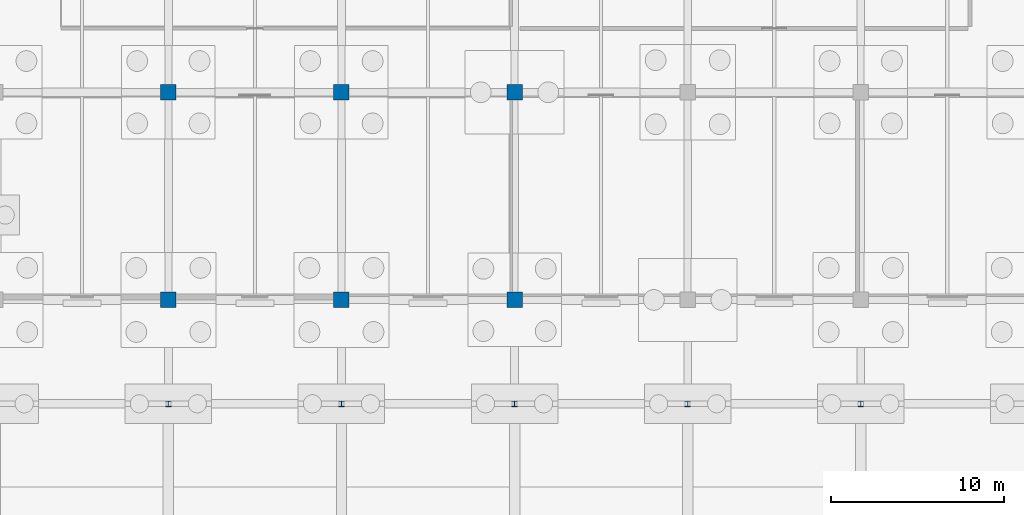
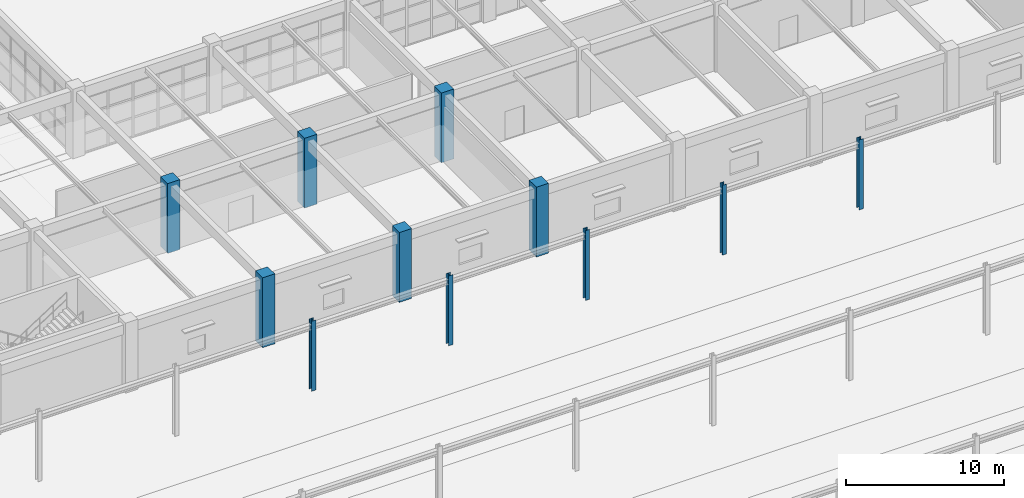
# One storey, part 24 of 99: 11 columns.
"""IFC4 building model written with IfcOpenShell, lengths in metres."""

from ifc_helpers import new_model, si_unit, direction, frame, origin, origin_2d, place, context, subcontext, project, spatial, rectangle, i_section, extrude, material, material_profile, profile_set, type_object, element, save


model = new_model("IFC4")

# Units and contexts
model_context = context("Model", 3, precision=1e-05, world=origin(), true_north=direction((0.0, 1.0)))
body_context = subcontext(model_context, "Body", "Model", "MODEL_VIEW")
ifc_project = project(units=[si_unit("LENGTHUNIT", "METRE"), si_unit("AREAUNIT", "SQUARE_METRE"), si_unit("VOLUMEUNIT", "CUBIC_METRE"), si_unit("PLANEANGLEUNIT", "RADIAN"), si_unit("MASSUNIT", "GRAM", prefix="KILO")], contexts=[model_context])

# Site, building, storey
site_placement = place(None, origin())
site = spatial("IfcSite", under=ifc_project, at=site_placement, CompositionType="ELEMENT")
building_placement = place(site_placement, origin())
building = spatial("IfcBuilding", under=site, at=building_placement, Name="Kivolera Central Railway Station", CompositionType="ELEMENT")
storey_placement = place(building_placement, origin())
storey = spatial("IfcBuildingStorey", under=building, at=storey_placement, Name="L00", CompositionType="ELEMENT", Elevation=0.0)

# Columns
ifc_material_1 = material(Name="Concrete C40/50", Category="concrete")
ifc_material_profile_1 = material_profile(ifc_material_1, rectangle(XDim=0.89990234375, YDim=0.89990234375, at=origin_2d()), Name="RC 900x900")
ifc_profile_set_1 = profile_set([ifc_material_profile_1], Name="Concrete C40/50")
column_type_1 = type_object("IfcColumnType", Name="COL-RC-900", PredefinedType="COLUMN", material=ifc_profile_set_1)
for number, where, z_axis, x_axis, name in (
    (1, (138.0, 54.0, 0.0), (0.0, 0.0, 1.0), (1.0, 0.0, 0.0), "L00 Wing Column 14-E"),
    (2, (138.0, 66.0, 0.0), (0.0, 0.0, 1.0), (1.0, 0.0, 0.0), "L00 Wing Column 14-F"),
    (3, (148.0, 54.0, 0.0), (0.0, 0.0, 1.0), (1.0, 0.0, 0.0), "L00 Wing Column 15-E"),
    (4, (148.0, 66.0, 0.0), (0.0, 0.0, 1.0), (1.0, 0.0, 0.0), "L00 Wing Column 15-F"),
    (5, (158.0, 54.0, 0.0), (0.0, 0.0, 1.0), (1.0, 0.0, 0.0), "L00 Wing Column 16-E"),
    (6, (158.0, 66.0, 0.0), (0.0, 0.0, 1.0), (1.0, 0.0, 0.0), "L00 Wing Column 16-F"),
):
    element("IfcColumn", number, at=place(storey_placement, frame(where, z_axis=z_axis, x_axis=x_axis)), inside=storey, type_object=column_type_1, Name=name, PredefinedType="COLUMN", context=body_context, shape_type="SweptSolid", body=[
        extrude(rectangle(XDim=0.89990234375, YDim=0.89990234375, at=origin_2d()), origin(), (0.0, 0.0, 1.0), 5.39990234375),
    ])
ifc_material_2 = material(Name="Steel S355", Category="steel")
ifc_material_profile_2 = material_profile(ifc_material_2, i_section(OverallWidth=0.30908203125, OverallDepth=0.320556640625, WebThickness=0.013916015625, FlangeThickness=0.021728515625, FilletRadius=0.01513671875, at=origin_2d()), Name="UC 305x305x137")
ifc_profile_set_2 = profile_set([ifc_material_profile_2], Name="Steel S355")
column_type_2 = type_object("IfcColumnType", Name="COL-STL-UC305", PredefinedType="COLUMN", material=ifc_profile_set_2)
for number, where, z_axis, x_axis, name in (
    (7, (138.0, 48.0, 0.0), (0.0, 0.0, 1.0), (1.0, 0.0, 0.0), "L00 Train Shed Column 14-D"),
    (8, (148.0, 48.0, 0.0), (0.0, 0.0, 1.0), (1.0, 0.0, 0.0), "L00 Train Shed Column 15-D"),
    (9, (158.0, 48.0, 0.0), (0.0, 0.0, 1.0), (1.0, 0.0, 0.0), "L00 Train Shed Column 16-D"),
    (10, (168.0, 48.0, 0.0), (0.0, 0.0, 1.0), (1.0, 0.0, 0.0), "L00 Train Shed Column 17-D"),
    (11, (178.0, 48.0, 0.0), (0.0, 0.0, 1.0), (1.0, 0.0, 0.0), "L00 Train Shed Column 18-D"),
):
    element("IfcColumn", number, at=place(storey_placement, frame(where, z_axis=z_axis, x_axis=x_axis)), inside=storey, type_object=column_type_2, Name=name, PredefinedType="COLUMN", context=body_context, shape_type="SweptSolid", body=[
        extrude(i_section(OverallWidth=0.30908203125, OverallDepth=0.320556640625, WebThickness=0.013916015625, FlangeThickness=0.021728515625, FilletRadius=0.01513671875, at=origin_2d()), origin(), (0.0, 0.0, 1.0), 5.39990234375),
    ])

save(model, "model.ifc")
